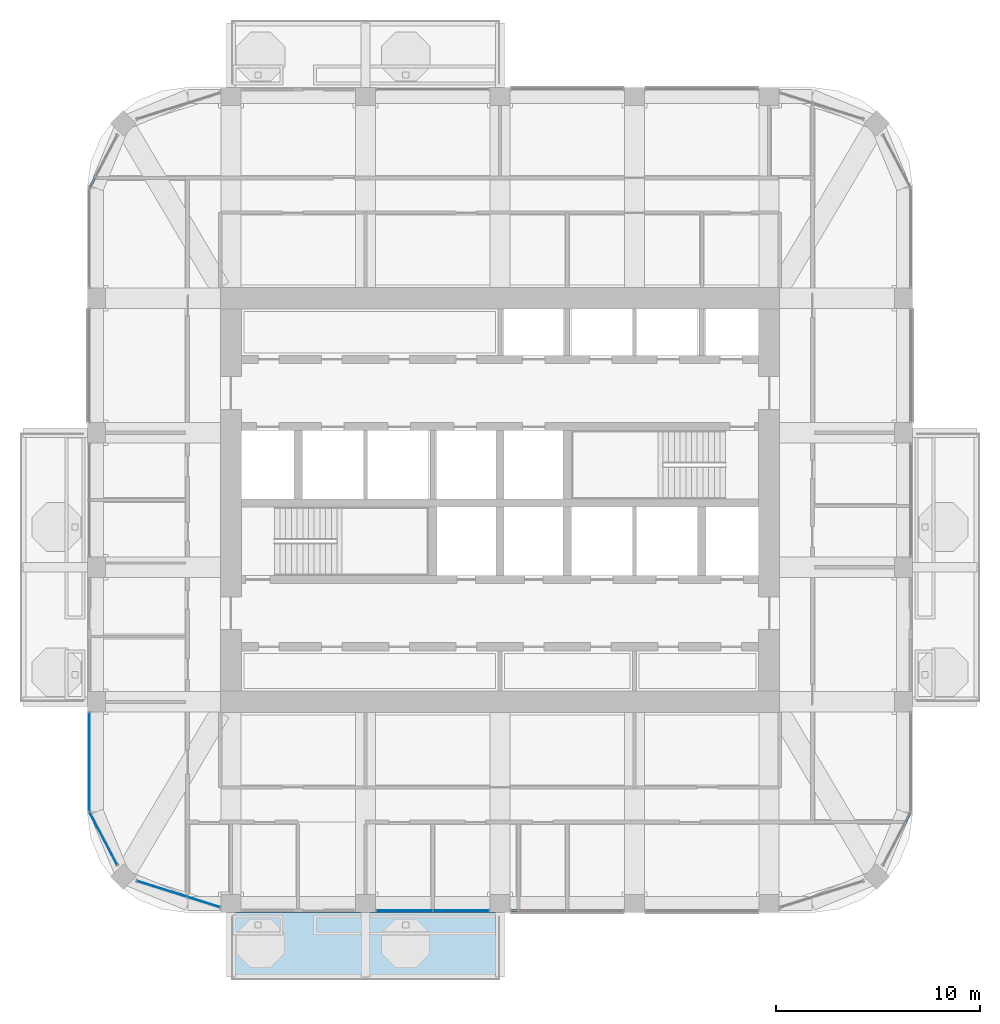
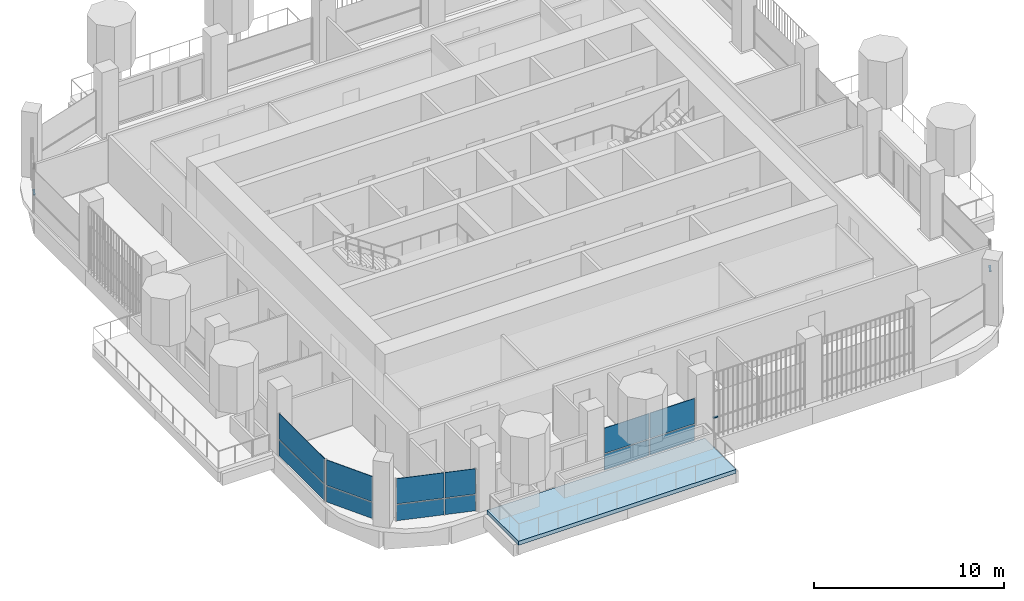
# One storey, part 7 of 19: 12 plates, 3 members, 1 slab, 7 elements without a shape of their own.
"""IFC4 building model written with IfcOpenShell, lengths in metres."""

from ifc_helpers import new_model, si_unit, direction, frame, origin, origin_2d, place, context, subcontext, project, spatial, polyline, rectangle, outline, extrude, material, layer, layer_set, material_profile, profile_set, type_object, element, aggregate, save


model = new_model("IFC4")

# Units and contexts
model_context = context("Model", 3, precision=1e-05, world=origin(), true_north=direction((0.0, 1.0)))
body_context = subcontext(model_context, "Body", "Model", "MODEL_VIEW")
ifc_project = project(units=[si_unit("LENGTHUNIT", "METRE"), si_unit("AREAUNIT", "SQUARE_METRE"), si_unit("VOLUMEUNIT", "CUBIC_METRE"), si_unit("PLANEANGLEUNIT", "RADIAN"), si_unit("MASSUNIT", "GRAM", prefix="KILO")], contexts=[model_context])

# Site, building, storey
site_placement = place(None, origin())
site = spatial("IfcSite", under=ifc_project, at=site_placement, CompositionType="ELEMENT")
building_placement = place(site_placement, origin())
building = spatial("IfcBuilding", under=site, at=building_placement, Name="Cobogo Forest Laboratory Tower", CompositionType="ELEMENT")
storey_placement = place(building_placement, frame((0.0, 0.0, 262.800048828125)))
storey = spatial("IfcBuildingStorey", under=building, at=storey_placement, Name="L60", CompositionType="ELEMENT", Elevation=262.800048828125)

# Curtain wall, member
ifc_material_1 = material(Name="Aluminium curtain wall", Category="aluminium")
curtain_wall_type = type_object("IfcCurtainWallType", Name="CW-2 unitised curtain wall, solar control glazing, laboratory floors zones C and D", PredefinedType="USERDEFINED", material=ifc_material_1)
curtain_wall_1_placement = place(storey_placement, origin())
curtain_wall_1 = element("IfcCurtainWall", 1, at=curtain_wall_1_placement, inside=storey, type_object=curtain_wall_type, Name="Curtain wall 03 L60", ObjectType="UNITISED CURTAIN WALL", PredefinedType="USERDEFINED")
ifc_material_2 = material(Name="Aluminium transom", Category="aluminium")
ifc_material_profile = material_profile(ifc_material_2, rectangle(XDim=0.1201171875, YDim=0.06005859375, at=origin_2d()), Name="AL 60x120")
ifc_profile_set = profile_set([ifc_material_profile], Name="Aluminium transom")
member_type = type_object("IfcMemberType", Name="TR-1 aluminium transom 60x120", PredefinedType="USERDEFINED", material=ifc_profile_set)
member_1_placement = place(storey_placement, frame((26.9599609375, 2.949951171875, 1.050048828125), z_axis=(1.0, 0.0, 0.0), x_axis=(0.0, 1.0, 0.0)))
member_1 = element("IfcMember", 2, at=member_1_placement, type_object=member_type, Name="CW-2 transom 1.1", ObjectType="TRANSOM", PredefinedType="USERDEFINED", context=body_context, shape_type="SweptSolid", body=[
    extrude(rectangle(XDim=0.1201171875, YDim=0.06005859375, at=origin_2d()), origin(), (0.0, 0.0, 1.0), 0.31005859375),
])
aggregate(curtain_wall_1, [member_1])

curtain_wall_2_placement = place(storey_placement, origin())
curtain_wall_2 = element("IfcCurtainWall", 3, at=curtain_wall_2_placement, inside=storey, type_object=curtain_wall_type, Name="Curtain wall 06 L60", ObjectType="UNITISED CURTAIN WALL", PredefinedType="USERDEFINED")
member_2_placement = place(storey_placement, frame((46.282470703125, 7.289306640625, 1.050048828125), z_axis=(0.46414828098, 0.885757513806, 0.0), x_axis=(-0.885757513806, 0.46414828098, 0.0)))
member_2 = element("IfcMember", 4, at=member_2_placement, type_object=member_type, Name="CW-2 transom 2.1", ObjectType="TRANSOM", PredefinedType="USERDEFINED", context=body_context, shape_type="SweptSolid", body=[
    extrude(rectangle(XDim=0.1201171875, YDim=0.06005859375, at=origin_2d()), origin(), (0.0, 0.0, 1.0), 0.5166015625),
])
aggregate(curtain_wall_2, [member_2])

curtain_wall_3_placement = place(storey_placement, origin())
curtain_wall_3 = element("IfcCurtainWall", 5, at=curtain_wall_3_placement, inside=storey, type_object=curtain_wall_type, Name="Curtain wall 19 L60", ObjectType="UNITISED CURTAIN WALL", PredefinedType="USERDEFINED")
member_3_placement = place(storey_placement, frame((6.517578125, 38.91064453125, 1.050048828125), z_axis=(-0.46414828098, -0.885757513806, 0.0), x_axis=(0.885757513806, -0.46414828098, 0.0)))
member_3 = element("IfcMember", 6, at=member_3_placement, type_object=member_type, Name="CW-2 transom 2.1", ObjectType="TRANSOM", PredefinedType="USERDEFINED", context=body_context, shape_type="SweptSolid", body=[
    extrude(rectangle(XDim=0.1201171875, YDim=0.06005859375, at=origin_2d()), origin(), (0.0, 0.0, 1.0), 0.5166015625),
])
aggregate(curtain_wall_3, [member_3])

# Slab
ifc_material_3 = material(Name="Concrete HA-40 (C40/50)", Category="concrete")
ifc_layer_1 = layer(ifc_material_3, 0.25)
ifc_layer_set_1 = layer_set([ifc_layer_1], Name="Balcony slab 250")
slab_type = type_object("IfcSlabType", Name="Balcony slab 250", PredefinedType="FLOOR", material=ifc_layer_set_1)
slab_placement = place(storey_placement, frame((0.0, 0.0, -0.25)))
element("IfcSlab", 7, at=slab_placement, inside=storey, type_object=slab_type, Name="Balcony BAL-S1 L60", PredefinedType="FLOOR", context=body_context, shape_type="SweptSolid", body=[
    extrude(outline(polyline([(13.199951171875, -0.449951171875), (26.39990234375, -0.449951171875), (26.39990234375, 2.85009765625), (13.199951171875, 2.85009765625), (13.199951171875, -0.449951171875)])), origin(), (0.0, 0.0, 1.0), 0.25),
])

# Curtain wall, plates
curtain_wall_4_placement = place(storey_placement, origin())
curtain_wall_4 = element("IfcCurtainWall", 8, at=curtain_wall_4_placement, inside=storey, type_object=curtain_wall_type, Name="Curtain wall 02 L60", ObjectType="UNITISED CURTAIN WALL", PredefinedType="USERDEFINED")
ifc_material_4 = material(Name="Solar control insulated glass", Category="glass")
ifc_layer_2 = layer(ifc_material_4, 0.031982421875)
ifc_layer_set_2 = layer_set([ifc_layer_2], Name="GP-2 solar control glass unit 32")
plate_type = type_object("IfcPlateType", Name="GP-2 solar control glass unit 32", PredefinedType="CURTAIN_PANEL", material=ifc_layer_set_2)
plate_1_placement = place(storey_placement, frame((21.715087890625, 2.949951171875, 0.0), z_axis=(0.0, 0.0, 1.0), x_axis=(1.0, 0.0, 0.0)))
plate_1 = element("IfcPlate", 9, at=plate_1_placement, type_object=plate_type, Name="CW-2 panel 1.1", PredefinedType="CURTAIN_PANEL", context=body_context, shape_type="SweptSolid", body=[
    extrude(rectangle(XDim=2.7099609375, YDim=0.031982421875, at=origin_2d()), origin(), (0.0, 0.0, 1.0), 1.02001953125),
])
plate_2_placement = place(storey_placement, frame((21.715087890625, 2.949951171875, 1.079833984375), z_axis=(0.0, 0.0, 1.0), x_axis=(1.0, 0.0, 0.0)))
plate_2 = element("IfcPlate", 10, at=plate_2_placement, type_object=plate_type, Name="CW-2 panel 1.2", PredefinedType="CURTAIN_PANEL", context=body_context, shape_type="SweptSolid", body=[
    extrude(rectangle(XDim=2.7099609375, YDim=0.031982421875, at=origin_2d()), origin(), (0.0, 0.0, 1.0), 1.6201171875),
])
plate_3_placement = place(storey_placement, frame((24.485107421875, 2.949951171875, 0.0), z_axis=(0.0, 0.0, 1.0), x_axis=(1.0, 0.0, 0.0)))
plate_3 = element("IfcPlate", 11, at=plate_3_placement, type_object=plate_type, Name="CW-2 panel 2.1", PredefinedType="CURTAIN_PANEL", context=body_context, shape_type="SweptSolid", body=[
    extrude(rectangle(XDim=2.7099609375, YDim=0.031982421875, at=origin_2d()), origin(), (0.0, 0.0, 1.0), 1.02001953125),
])
plate_4_placement = place(storey_placement, frame((24.485107421875, 2.949951171875, 1.079833984375), z_axis=(0.0, 0.0, 1.0), x_axis=(1.0, 0.0, 0.0)))
plate_4 = element("IfcPlate", 12, at=plate_4_placement, type_object=plate_type, Name="CW-2 panel 2.2", PredefinedType="CURTAIN_PANEL", context=body_context, shape_type="SweptSolid", body=[
    extrude(rectangle(XDim=2.7099609375, YDim=0.031982421875, at=origin_2d()), origin(), (0.0, 0.0, 1.0), 1.6201171875),
])
aggregate(curtain_wall_4, [plate_1, plate_2, plate_3, plate_4])

curtain_wall_5_placement = place(storey_placement, origin())
curtain_wall_5 = element("IfcCurtainWall", 13, at=curtain_wall_5_placement, inside=storey, type_object=curtain_wall_type, Name="Curtain wall 24 L60", ObjectType="UNITISED CURTAIN WALL", PredefinedType="USERDEFINED")
plate_5_placement = place(storey_placement, frame((6.25, 10.25, 0.0), z_axis=(0.0, 0.0, 1.0), x_axis=(0.0, -1.0, 0.0)))
plate_5 = element("IfcPlate", 14, at=plate_5_placement, type_object=plate_type, Name="CW-2 panel 1.1", PredefinedType="CURTAIN_PANEL", context=body_context, shape_type="SweptSolid", body=[
    extrude(rectangle(XDim=4.780029296875, YDim=0.031982421875, at=origin_2d()), origin(), (0.0, 0.0, 1.0), 1.02001953125),
])
plate_6_placement = place(storey_placement, frame((6.25, 10.25, 1.079833984375), z_axis=(0.0, 0.0, 1.0), x_axis=(0.0, -1.0, 0.0)))
plate_6 = element("IfcPlate", 15, at=plate_6_placement, type_object=plate_type, Name="CW-2 panel 1.2", PredefinedType="CURTAIN_PANEL", context=body_context, shape_type="SweptSolid", body=[
    extrude(rectangle(XDim=4.780029296875, YDim=0.031982421875, at=origin_2d()), origin(), (0.0, 0.0, 1.0), 1.6201171875),
])
aggregate(curtain_wall_5, [plate_5, plate_6])

curtain_wall_6_placement = place(storey_placement, origin())
curtain_wall_6 = element("IfcCurtainWall", 16, at=curtain_wall_6_placement, inside=storey, type_object=curtain_wall_type, Name="Curtain wall 25 L60", ObjectType="UNITISED CURTAIN WALL", PredefinedType="USERDEFINED")
plate_7_placement = place(storey_placement, frame((6.94287109375, 6.47802734375, 0.0), z_axis=(0.0, 0.0, 1.0), x_axis=(0.464283778337, -0.885686498245, 0.0)))
plate_7 = element("IfcPlate", 17, at=plate_7_placement, type_object=plate_type, Name="CW-2 panel 1.1", PredefinedType="CURTAIN_PANEL", context=body_context, shape_type="SweptSolid", body=[
    extrude(rectangle(XDim=2.864990234375, YDim=0.031982421875, at=origin_2d()), origin(), (0.0, 0.0, 1.0), 1.02001953125),
])
plate_8_placement = place(storey_placement, frame((6.94287109375, 6.47802734375, 1.079833984375), z_axis=(0.0, 0.0, 1.0), x_axis=(0.464283778337, -0.885686498245, 0.0)))
plate_8 = element("IfcPlate", 18, at=plate_8_placement, type_object=plate_type, Name="CW-2 panel 1.2", PredefinedType="CURTAIN_PANEL", context=body_context, shape_type="SweptSolid", body=[
    extrude(rectangle(XDim=2.864990234375, YDim=0.031982421875, at=origin_2d()), origin(), (0.0, 0.0, 1.0), 1.6201171875),
])
aggregate(curtain_wall_6, [plate_7, plate_8])

curtain_wall_7_placement = place(storey_placement, origin())
curtain_wall_7 = element("IfcCurtainWall", 19, at=curtain_wall_7_placement, inside=storey, type_object=curtain_wall_type, Name="Curtain wall 26 L60", ObjectType="UNITISED CURTAIN WALL", PredefinedType="USERDEFINED")
plate_9_placement = place(storey_placement, frame((9.810546875, 4.0205078125, 0.0), z_axis=(0.0, 0.0, 1.0), x_axis=(0.953581379409, -0.301135439371, 0.0)))
plate_9 = element("IfcPlate", 20, at=plate_9_placement, type_object=plate_type, Name="CW-2 panel 1.1", PredefinedType="CURTAIN_PANEL", context=body_context, shape_type="SweptSolid", body=[
    extrude(rectangle(XDim=2.541748046875, YDim=0.031982421875, at=origin_2d()), origin(), (0.0, 0.0, 1.0), 1.02001953125),
])
plate_10_placement = place(storey_placement, frame((9.810546875, 4.0205078125, 1.079833984375), z_axis=(0.0, 0.0, 1.0), x_axis=(0.953581379409, -0.301135439371, 0.0)))
plate_10 = element("IfcPlate", 21, at=plate_10_placement, type_object=plate_type, Name="CW-2 panel 1.2", PredefinedType="CURTAIN_PANEL", context=body_context, shape_type="SweptSolid", body=[
    extrude(rectangle(XDim=2.541748046875, YDim=0.031982421875, at=origin_2d()), origin(), (0.0, 0.0, 1.0), 1.6201171875),
])
plate_11_placement = place(storey_placement, frame((11.861083984375, 3.372802734375, 0.0), z_axis=(0.0, 0.0, 1.0), x_axis=(0.953581379409, -0.301135439371, 0.0)))
plate_11 = element("IfcPlate", 22, at=plate_11_placement, type_object=plate_type, Name="CW-2 panel 2.1", PredefinedType="CURTAIN_PANEL", context=body_context, shape_type="SweptSolid", body=[
    extrude(rectangle(XDim=1.639404296875, YDim=0.031982421875, at=origin_2d()), origin(), (0.0, 0.0, 1.0), 1.02001953125),
])
plate_12_placement = place(storey_placement, frame((11.861083984375, 3.372802734375, 1.079833984375), z_axis=(0.0, 0.0, 1.0), x_axis=(0.953581379409, -0.301135439371, 0.0)))
plate_12 = element("IfcPlate", 23, at=plate_12_placement, type_object=plate_type, Name="CW-2 panel 2.2", PredefinedType="CURTAIN_PANEL", context=body_context, shape_type="SweptSolid", body=[
    extrude(rectangle(XDim=1.639404296875, YDim=0.031982421875, at=origin_2d()), origin(), (0.0, 0.0, 1.0), 1.6201171875),
])
aggregate(curtain_wall_7, [plate_9, plate_10, plate_11, plate_12])

save(model, "model.ifc")
